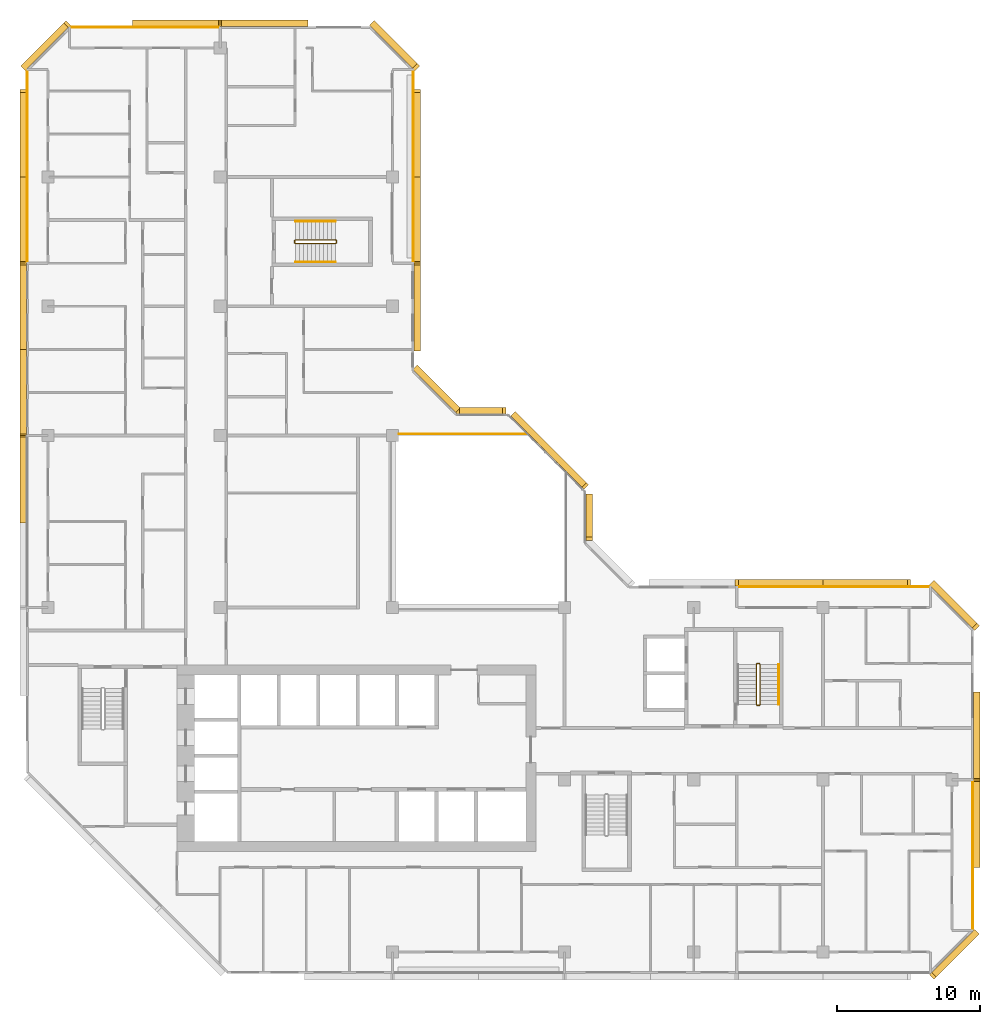
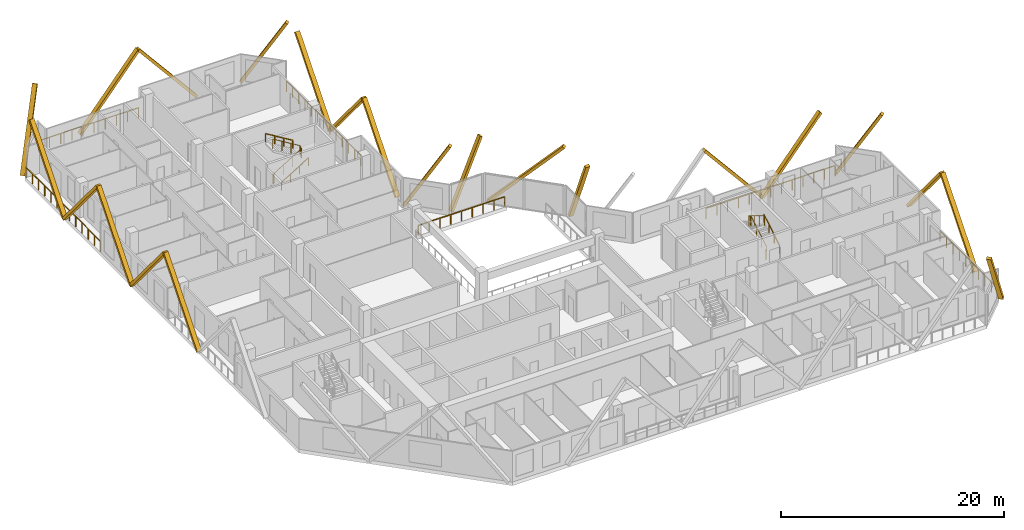
# One storey, part 16 of 16: 22 coverings, 11 railings.
"""IFC4 building model written with IfcOpenShell, lengths in metres."""

from ifc_helpers import new_model, si_unit, direction, frame, origin, origin_2d, place, context, subcontext, project, spatial, rectangle, extrude, material, material_profile, profile_set, type_object, element, save


model = new_model("IFC4")

# Units and contexts
model_context = context("Model", 3, precision=1e-05, world=origin(), true_north=direction((0.0, 1.0)))
body_context = subcontext(model_context, "Body", "Model", "MODEL_VIEW")
ifc_project = project(units=[si_unit("LENGTHUNIT", "METRE"), si_unit("AREAUNIT", "SQUARE_METRE"), si_unit("VOLUMEUNIT", "CUBIC_METRE"), si_unit("PLANEANGLEUNIT", "RADIAN"), si_unit("MASSUNIT", "GRAM", prefix="KILO")], contexts=[model_context])

# Site, building, storey
site_placement = place(None, origin())
site = spatial("IfcSite", under=ifc_project, at=site_placement, CompositionType="ELEMENT")
building_placement = place(site_placement, origin())
building = spatial("IfcBuilding", under=site, at=building_placement, Name="Chenar Terraces", CompositionType="ELEMENT")
storey_placement = place(building_placement, frame((0.0, 0.0, 219.14990234375)))
storey = spatial("IfcBuildingStorey", under=building, at=storey_placement, Name="L51", CompositionType="ELEMENT", Elevation=219.14990234375)

# Railings
ifc_material_1 = material(Name="Powder-coated steel", Category="steel")
railing_type_1 = type_object("IfcRailingType", Name="Guard 1100 steel rail with glass infill", PredefinedType="GUARDRAIL", material=ifc_material_1)
railing_1_placement = place(storey_placement, frame((24.47509765625, 36.10009765625, 0.0)))
element("IfcRailing", 1, at=railing_1_placement, inside=storey, type_object=railing_type_1, Name="Guard L51-2", PredefinedType="GUARDRAIL", context=body_context, shape_type="SweptSolid", body=[
    extrude(rectangle(XDim=0.06005859375, YDim=0.06005859375, at=origin_2d()), frame((0.0, 0.0, 1.070068359375), z_axis=(1.0, 0.0, 0.0), x_axis=(0.0, 1.0, 0.0)), (0.0, 0.0, 1.0), 8.9248046875),
    extrude(rectangle(XDim=0.050048828125, YDim=0.050048828125, at=origin_2d()), origin(), (0.0, 0.0, 1.0), 1.0400390625),
    extrude(rectangle(XDim=0.050048828125, YDim=0.050048828125, at=origin_2d()), frame((1.11572265625, 0.0, 0.0)), (0.0, 0.0, 1.0), 1.0400390625),
    extrude(rectangle(XDim=0.050048828125, YDim=0.050048828125, at=origin_2d()), frame((2.231201171875, 0.0, 0.0)), (0.0, 0.0, 1.0), 1.0400390625),
    extrude(rectangle(XDim=0.050048828125, YDim=0.050048828125, at=origin_2d()), frame((3.3466796875, 0.0, 0.0)), (0.0, 0.0, 1.0), 1.0400390625),
    extrude(rectangle(XDim=0.050048828125, YDim=0.050048828125, at=origin_2d()), frame((4.46240234375, 0.0, 0.0)), (0.0, 0.0, 1.0), 1.0400390625),
    extrude(rectangle(XDim=0.050048828125, YDim=0.050048828125, at=origin_2d()), frame((5.578125, 0.0, 0.0)), (0.0, 0.0, 1.0), 1.0400390625),
    extrude(rectangle(XDim=0.050048828125, YDim=0.050048828125, at=origin_2d()), frame((6.693603515625, 0.0, 0.0)), (0.0, 0.0, 1.0), 1.0400390625),
    extrude(rectangle(XDim=0.050048828125, YDim=0.050048828125, at=origin_2d()), frame((7.80908203125, 0.0, 0.0)), (0.0, 0.0, 1.0), 1.0400390625),
    extrude(rectangle(XDim=0.050048828125, YDim=0.050048828125, at=origin_2d()), frame((8.9248046875, 0.0, 0.0)), (0.0, 0.0, 1.0), 1.0400390625),
])
ifc_material_2 = material(Name="Stainless steel and glass", Category="steel")
railing_type_2 = type_object("IfcRailingType", Name="Loggia guard 1150", PredefinedType="GUARDRAIL", material=ifc_material_2)
railing_2_placement = place(storey_placement, frame((25.449951171875, 48.074951171875, 0.0)))
element("IfcRailing", 2, at=railing_2_placement, inside=storey, type_object=railing_type_2, Name="Loggia guard", PredefinedType="GUARDRAIL", context=body_context, shape_type="SweptSolid", body=[
    extrude(rectangle(XDim=0.048095703125, YDim=0.048095703125, at=origin_2d()), frame((0.0, 0.0, 1.1259765625), z_axis=(0.0, 1.0, 0.0), x_axis=(-1.0, 0.0, 0.0)), (0.0, 0.0, 1.0), 13.35009765625),
    extrude(rectangle(XDim=0.0419921875, YDim=0.0419921875, at=origin_2d()), origin(), (0.0, 0.0, 1.0), 1.101806640625),
    extrude(rectangle(XDim=0.0419921875, YDim=0.0419921875, at=origin_2d()), frame((0.0, 1.112548828125, 0.0)), (0.0, 0.0, 1.0), 1.101806640625),
    extrude(rectangle(XDim=0.0419921875, YDim=0.0419921875, at=origin_2d()), frame((0.0, 2.22509765625, 0.0)), (0.0, 0.0, 1.0), 1.101806640625),
    extrude(rectangle(XDim=0.0419921875, YDim=0.0419921875, at=origin_2d()), frame((0.0, 3.33740234375, 0.0)), (0.0, 0.0, 1.0), 1.101806640625),
    extrude(rectangle(XDim=0.0419921875, YDim=0.0419921875, at=origin_2d()), frame((0.0, 4.449951171875, 0.0)), (0.0, 0.0, 1.0), 1.101806640625),
    extrude(rectangle(XDim=0.0419921875, YDim=0.0419921875, at=origin_2d()), frame((0.0, 5.5625, 0.0)), (0.0, 0.0, 1.0), 1.101806640625),
    extrude(rectangle(XDim=0.0419921875, YDim=0.0419921875, at=origin_2d()), frame((0.0, 6.675048828125, 0.0)), (0.0, 0.0, 1.0), 1.101806640625),
    extrude(rectangle(XDim=0.0419921875, YDim=0.0419921875, at=origin_2d()), frame((0.0, 7.78759765625, 0.0)), (0.0, 0.0, 1.0), 1.101806640625),
    extrude(rectangle(XDim=0.0419921875, YDim=0.0419921875, at=origin_2d()), frame((0.0, 8.900146484375, 0.0)), (0.0, 0.0, 1.0), 1.101806640625),
    extrude(rectangle(XDim=0.0419921875, YDim=0.0419921875, at=origin_2d()), frame((0.0, 10.0126953125, 0.0)), (0.0, 0.0, 1.0), 1.101806640625),
    extrude(rectangle(XDim=0.0419921875, YDim=0.0419921875, at=origin_2d()), frame((0.0, 11.125, 0.0)), (0.0, 0.0, 1.0), 1.101806640625),
    extrude(rectangle(XDim=0.0419921875, YDim=0.0419921875, at=origin_2d()), frame((0.0, 12.237548828125, 0.0)), (0.0, 0.0, 1.0), 1.101806640625),
    extrude(rectangle(XDim=0.0419921875, YDim=0.0419921875, at=origin_2d()), frame((0.0, 13.35009765625, 0.0)), (0.0, 0.0, 1.0), 1.101806640625),
])
railing_3_placement = place(storey_placement, frame((64.449951171875, 1.574951171875, 0.0)))
element("IfcRailing", 3, at=railing_3_placement, inside=storey, type_object=railing_type_2, Name="Loggia guard", PredefinedType="GUARDRAIL", context=body_context, shape_type="SweptSolid", body=[
    extrude(rectangle(XDim=0.048095703125, YDim=0.048095703125, at=origin_2d()), frame((0.0, 0.0, 1.1259765625), z_axis=(0.0, 1.0, 0.0), x_axis=(-1.0, 0.0, 0.0)), (0.0, 0.0, 1.0), 10.35009765625),
    extrude(rectangle(XDim=0.0419921875, YDim=0.0419921875, at=origin_2d()), origin(), (0.0, 0.0, 1.0), 1.101806640625),
    extrude(rectangle(XDim=0.0419921875, YDim=0.0419921875, at=origin_2d()), frame((0.0, 1.14990234375, 0.0)), (0.0, 0.0, 1.0), 1.101806640625),
    extrude(rectangle(XDim=0.0419921875, YDim=0.0419921875, at=origin_2d()), frame((0.0, 2.300048828125, 0.0)), (0.0, 0.0, 1.0), 1.101806640625),
    extrude(rectangle(XDim=0.0419921875, YDim=0.0419921875, at=origin_2d()), frame((0.0, 3.449951171875, 0.0)), (0.0, 0.0, 1.0), 1.101806640625),
    extrude(rectangle(XDim=0.0419921875, YDim=0.0419921875, at=origin_2d()), frame((0.0, 4.60009765625, 0.0)), (0.0, 0.0, 1.0), 1.101806640625),
    extrude(rectangle(XDim=0.0419921875, YDim=0.0419921875, at=origin_2d()), frame((0.0, 5.75, 0.0)), (0.0, 0.0, 1.0), 1.101806640625),
    extrude(rectangle(XDim=0.0419921875, YDim=0.0419921875, at=origin_2d()), frame((0.0, 6.900146484375, 0.0)), (0.0, 0.0, 1.0), 1.101806640625),
    extrude(rectangle(XDim=0.0419921875, YDim=0.0419921875, at=origin_2d()), frame((0.0, 8.050048828125, 0.0)), (0.0, 0.0, 1.0), 1.101806640625),
    extrude(rectangle(XDim=0.0419921875, YDim=0.0419921875, at=origin_2d()), frame((0.0, 9.2001953125, 0.0)), (0.0, 0.0, 1.0), 1.101806640625),
    extrude(rectangle(XDim=0.0419921875, YDim=0.0419921875, at=origin_2d()), frame((0.0, 10.35009765625, 0.0)), (0.0, 0.0, 1.0), 1.101806640625),
])
railing_4_placement = place(storey_placement, frame((61.425048828125, 25.449951171875, 0.0)))
element("IfcRailing", 4, at=railing_4_placement, inside=storey, type_object=railing_type_2, Name="Loggia guard", PredefinedType="GUARDRAIL", context=body_context, shape_type="SweptSolid", body=[
    extrude(rectangle(XDim=0.048095703125, YDim=0.048095703125, at=origin_2d()), frame((0.0, 0.0, 1.1259765625), z_axis=(-1.0, 0.0, 0.0), x_axis=(0.0, -1.0, 0.0)), (0.0, 0.0, 1.0), 13.35009765625),
    extrude(rectangle(XDim=0.0419921875, YDim=0.0419921875, at=origin_2d()), origin(), (0.0, 0.0, 1.0), 1.101806640625),
    extrude(rectangle(XDim=0.0419921875, YDim=0.0419921875, at=origin_2d()), frame((-1.112548828125, 0.0, 0.0)), (0.0, 0.0, 1.0), 1.101806640625),
    extrude(rectangle(XDim=0.0419921875, YDim=0.0419921875, at=origin_2d()), frame((-2.22509765625, 0.0, 0.0)), (0.0, 0.0, 1.0), 1.101806640625),
    extrude(rectangle(XDim=0.0419921875, YDim=0.0419921875, at=origin_2d()), frame((-3.33740234375, 0.0, 0.0)), (0.0, 0.0, 1.0), 1.101806640625),
    extrude(rectangle(XDim=0.0419921875, YDim=0.0419921875, at=origin_2d()), frame((-4.449951171875, 0.0, 0.0)), (0.0, 0.0, 1.0), 1.101806640625),
    extrude(rectangle(XDim=0.0419921875, YDim=0.0419921875, at=origin_2d()), frame((-5.5625, 0.0, 0.0)), (0.0, 0.0, 1.0), 1.101806640625),
    extrude(rectangle(XDim=0.0419921875, YDim=0.0419921875, at=origin_2d()), frame((-6.675048828125, 0.0, 0.0)), (0.0, 0.0, 1.0), 1.101806640625),
    extrude(rectangle(XDim=0.0419921875, YDim=0.0419921875, at=origin_2d()), frame((-7.78759765625, 0.0, 0.0)), (0.0, 0.0, 1.0), 1.101806640625),
    extrude(rectangle(XDim=0.0419921875, YDim=0.0419921875, at=origin_2d()), frame((-8.900146484375, 0.0, 0.0)), (0.0, 0.0, 1.0), 1.101806640625),
    extrude(rectangle(XDim=0.0419921875, YDim=0.0419921875, at=origin_2d()), frame((-10.0126953125, 0.0, 0.0)), (0.0, 0.0, 1.0), 1.101806640625),
    extrude(rectangle(XDim=0.0419921875, YDim=0.0419921875, at=origin_2d()), frame((-11.125, 0.0, 0.0)), (0.0, 0.0, 1.0), 1.101806640625),
    extrude(rectangle(XDim=0.0419921875, YDim=0.0419921875, at=origin_2d()), frame((-12.237548828125, 0.0, 0.0)), (0.0, 0.0, 1.0), 1.101806640625),
    extrude(rectangle(XDim=0.0419921875, YDim=0.0419921875, at=origin_2d()), frame((-13.35009765625, 0.0, 0.0)), (0.0, 0.0, 1.0), 1.101806640625),
])
railing_5_placement = place(storey_placement, frame((11.925048828125, 64.449951171875, 0.0)))
element("IfcRailing", 5, at=railing_5_placement, inside=storey, type_object=railing_type_2, Name="Loggia guard", PredefinedType="GUARDRAIL", context=body_context, shape_type="SweptSolid", body=[
    extrude(rectangle(XDim=0.048095703125, YDim=0.048095703125, at=origin_2d()), frame((0.0, 0.0, 1.1259765625), z_axis=(-1.0, 0.0, 0.0), x_axis=(0.0, -1.0, 0.0)), (0.0, 0.0, 1.0), 10.35009765625),
    extrude(rectangle(XDim=0.0419921875, YDim=0.0419921875, at=origin_2d()), origin(), (0.0, 0.0, 1.0), 1.101806640625),
    extrude(rectangle(XDim=0.0419921875, YDim=0.0419921875, at=origin_2d()), frame((-1.14990234375, 0.0, 0.0)), (0.0, 0.0, 1.0), 1.101806640625),
    extrude(rectangle(XDim=0.0419921875, YDim=0.0419921875, at=origin_2d()), frame((-2.300048828125, 0.0, 0.0)), (0.0, 0.0, 1.0), 1.101806640625),
    extrude(rectangle(XDim=0.0419921875, YDim=0.0419921875, at=origin_2d()), frame((-3.449951171875, 0.0, 0.0)), (0.0, 0.0, 1.0), 1.101806640625),
    extrude(rectangle(XDim=0.0419921875, YDim=0.0419921875, at=origin_2d()), frame((-4.60009765625, 0.0, 0.0)), (0.0, 0.0, 1.0), 1.101806640625),
    extrude(rectangle(XDim=0.0419921875, YDim=0.0419921875, at=origin_2d()), frame((-5.75, 0.0, 0.0)), (0.0, 0.0, 1.0), 1.101806640625),
    extrude(rectangle(XDim=0.0419921875, YDim=0.0419921875, at=origin_2d()), frame((-6.900146484375, 0.0, 0.0)), (0.0, 0.0, 1.0), 1.101806640625),
    extrude(rectangle(XDim=0.0419921875, YDim=0.0419921875, at=origin_2d()), frame((-8.050048828125, 0.0, 0.0)), (0.0, 0.0, 1.0), 1.101806640625),
    extrude(rectangle(XDim=0.0419921875, YDim=0.0419921875, at=origin_2d()), frame((-9.2001953125, 0.0, 0.0)), (0.0, 0.0, 1.0), 1.101806640625),
    extrude(rectangle(XDim=0.0419921875, YDim=0.0419921875, at=origin_2d()), frame((-10.35009765625, 0.0, 0.0)), (0.0, 0.0, 1.0), 1.101806640625),
])
railing_6_placement = place(storey_placement, frame((-1.449951171875, 61.425048828125, 0.0)))
element("IfcRailing", 6, at=railing_6_placement, inside=storey, type_object=railing_type_2, Name="Loggia guard", PredefinedType="GUARDRAIL", context=body_context, shape_type="SweptSolid", body=[
    extrude(rectangle(XDim=0.048095703125, YDim=0.048095703125, at=origin_2d()), frame((0.0, 0.0, 1.1259765625), z_axis=(0.0, -1.0, 0.0), x_axis=(1.0, 0.0, 0.0)), (0.0, 0.0, 1.0), 13.35009765625),
    extrude(rectangle(XDim=0.0419921875, YDim=0.0419921875, at=origin_2d()), origin(), (0.0, 0.0, 1.0), 1.101806640625),
    extrude(rectangle(XDim=0.0419921875, YDim=0.0419921875, at=origin_2d()), frame((0.0, -1.112548828125, 0.0)), (0.0, 0.0, 1.0), 1.101806640625),
    extrude(rectangle(XDim=0.0419921875, YDim=0.0419921875, at=origin_2d()), frame((0.0, -2.22509765625, 0.0)), (0.0, 0.0, 1.0), 1.101806640625),
    extrude(rectangle(XDim=0.0419921875, YDim=0.0419921875, at=origin_2d()), frame((0.0, -3.33740234375, 0.0)), (0.0, 0.0, 1.0), 1.101806640625),
    extrude(rectangle(XDim=0.0419921875, YDim=0.0419921875, at=origin_2d()), frame((0.0, -4.449951171875, 0.0)), (0.0, 0.0, 1.0), 1.101806640625),
    extrude(rectangle(XDim=0.0419921875, YDim=0.0419921875, at=origin_2d()), frame((0.0, -5.5625, 0.0)), (0.0, 0.0, 1.0), 1.101806640625),
    extrude(rectangle(XDim=0.0419921875, YDim=0.0419921875, at=origin_2d()), frame((0.0, -6.675048828125, 0.0)), (0.0, 0.0, 1.0), 1.101806640625),
    extrude(rectangle(XDim=0.0419921875, YDim=0.0419921875, at=origin_2d()), frame((0.0, -7.78759765625, 0.0)), (0.0, 0.0, 1.0), 1.101806640625),
    extrude(rectangle(XDim=0.0419921875, YDim=0.0419921875, at=origin_2d()), frame((0.0, -8.900146484375, 0.0)), (0.0, 0.0, 1.0), 1.101806640625),
    extrude(rectangle(XDim=0.0419921875, YDim=0.0419921875, at=origin_2d()), frame((0.0, -10.0126953125, 0.0)), (0.0, 0.0, 1.0), 1.101806640625),
    extrude(rectangle(XDim=0.0419921875, YDim=0.0419921875, at=origin_2d()), frame((0.0, -11.125, 0.0)), (0.0, 0.0, 1.0), 1.101806640625),
    extrude(rectangle(XDim=0.0419921875, YDim=0.0419921875, at=origin_2d()), frame((0.0, -12.237548828125, 0.0)), (0.0, 0.0, 1.0), 1.101806640625),
    extrude(rectangle(XDim=0.0419921875, YDim=0.0419921875, at=origin_2d()), frame((0.0, -13.35009765625, 0.0)), (0.0, 0.0, 1.0), 1.101806640625),
])
ifc_material_3 = material(Name="Powder-coated steel", Category="steel")
railing_type_3 = type_object("IfcRailingType", Name="Stair guard 1100", PredefinedType="GUARDRAIL", material=ifc_material_3)
railing_7_placement = place(storey_placement, frame((49.375, 17.25, 3.75)))
element("IfcRailing", 7, at=railing_7_placement, inside=storey, type_object=railing_type_3, Name="L51 ST3 stair guard 1", PredefinedType="GUARDRAIL", context=body_context, shape_type="SweptSolid", body=[
    extrude(rectangle(XDim=0.048095703125, YDim=0.048095703125, at=origin_2d()), frame((0.0, 0.0, 1.076171875), z_axis=(0.0, 0.854202870247, -0.519939858505), x_axis=(-1.0, 0.0, 0.0)), (0.0, 0.0, 1.0), 3.278076171875),
    extrude(rectangle(XDim=0.048095703125, YDim=0.048095703125, at=origin_2d()), frame((0.0, 2.800048828125, -0.62841796875), z_axis=(0.270899902878, 0.270899902878, -0.923702595667), x_axis=(-0.707106781187, 0.707106781187, 0.0)), (0.0, 0.0, 1.0), 0.184814453125),
    extrude(rectangle(XDim=0.048095703125, YDim=0.048095703125, at=origin_2d()), frame((0.050048828125, 2.85009765625, -0.798828125), z_axis=(1.0, 0.0, 0.0), x_axis=(0.0, 1.0, 0.0)), (0.0, 0.0, 1.0), 0.14990234375),
    extrude(rectangle(XDim=0.048095703125, YDim=0.048095703125, at=origin_2d()), frame((0.199951171875, 2.85009765625, -0.798828125), z_axis=(0.707106781187, -0.707106781187, 0.0), x_axis=(0.707106781187, 0.707106781187, 0.0)), (0.0, 0.0, 1.0), 0.07080078125),
    extrude(rectangle(XDim=0.048095703125, YDim=0.048095703125, at=origin_2d()), frame((0.25, 2.800048828125, -0.798828125), z_axis=(0.0, -0.854202870247, -0.519939858505), x_axis=(1.0, 0.0, 0.0)), (0.0, 0.0, 1.0), 3.278076171875),
    extrude(rectangle(XDim=0.048095703125, YDim=0.048095703125, at=origin_2d()), frame((0.25, 0.0, -2.50341796875), z_axis=(-0.270899902878, -0.270899902878, -0.923702595667), x_axis=(0.707106781187, -0.707106781187, 0.0)), (0.0, 0.0, 1.0), 0.184814453125),
    extrude(rectangle(XDim=0.048095703125, YDim=0.048095703125, at=origin_2d()), frame((0.199951171875, -0.050048828125, -2.673828125), z_axis=(-1.0, 0.0, 0.0), x_axis=(0.0, -1.0, 0.0)), (0.0, 0.0, 1.0), 0.14990234375),
    extrude(rectangle(XDim=0.0419921875, YDim=0.0419921875, at=origin_2d()), origin(), (0.0, 0.0, 1.0), 1.052001953125),
    extrude(rectangle(XDim=0.0419921875, YDim=0.0419921875, at=origin_2d()), frame((0.0, 0.933349609375, -0.568115234375)), (0.0, 0.0, 1.0), 1.052001953125),
    extrude(rectangle(XDim=0.0419921875, YDim=0.0419921875, at=origin_2d()), frame((0.0, 1.86669921875, -1.13623046875)), (0.0, 0.0, 1.0), 1.052001953125),
    extrude(rectangle(XDim=0.0419921875, YDim=0.0419921875, at=origin_2d()), frame((0.0, 2.800048828125, -1.704345703125)), (0.0, 0.0, 1.0), 1.052001953125),
    extrude(rectangle(XDim=0.0419921875, YDim=0.0419921875, at=origin_2d()), frame((0.050048828125, 2.85009765625, -1.875)), (0.0, 0.0, 1.0), 1.052001953125),
    extrude(rectangle(XDim=0.0419921875, YDim=0.0419921875, at=origin_2d()), frame((0.199951171875, 2.85009765625, -1.875)), (0.0, 0.0, 1.0), 1.052001953125),
    extrude(rectangle(XDim=0.0419921875, YDim=0.0419921875, at=origin_2d()), frame((0.25, 2.800048828125, -1.875)), (0.0, 0.0, 1.0), 1.052001953125),
    extrude(rectangle(XDim=0.0419921875, YDim=0.0419921875, at=origin_2d()), frame((0.25, 1.86669921875, -2.443115234375)), (0.0, 0.0, 1.0), 1.052001953125),
    extrude(rectangle(XDim=0.0419921875, YDim=0.0419921875, at=origin_2d()), frame((0.25, 0.933349609375, -3.01123046875)), (0.0, 0.0, 1.0), 1.052001953125),
    extrude(rectangle(XDim=0.0419921875, YDim=0.0419921875, at=origin_2d()), frame((0.25, 0.0, -3.579345703125)), (0.0, 0.0, 1.0), 1.052001953125),
    extrude(rectangle(XDim=0.0419921875, YDim=0.0419921875, at=origin_2d()), frame((0.199951171875, -0.050048828125, -3.75)), (0.0, 0.0, 1.0), 1.052001953125),
    extrude(rectangle(XDim=0.0419921875, YDim=0.0419921875, at=origin_2d()), frame((0.050048828125, -0.050048828125, -3.75)), (0.0, 0.0, 1.0), 1.052001953125),
])
railing_8_placement = place(storey_placement, frame((17.25, 49.625, 3.75)))
element("IfcRailing", 8, at=railing_8_placement, inside=storey, type_object=railing_type_3, Name="L51 ST4 stair guard 1", PredefinedType="GUARDRAIL", context=body_context, shape_type="SweptSolid", body=[
    extrude(rectangle(XDim=0.048095703125, YDim=0.048095703125, at=origin_2d()), frame((0.0, 0.0, 1.076171875), z_axis=(0.854202870247, 0.0, -0.519939858505), x_axis=(0.0, 1.0, 0.0)), (0.0, 0.0, 1.0), 3.278076171875),
    extrude(rectangle(XDim=0.048095703125, YDim=0.048095703125, at=origin_2d()), frame((2.800048828125, 0.0, -0.62841796875), z_axis=(0.270899902878, -0.270899902878, -0.923702595667), x_axis=(0.707106781187, 0.707106781187, 0.0)), (0.0, 0.0, 1.0), 0.184814453125),
    extrude(rectangle(XDim=0.048095703125, YDim=0.048095703125, at=origin_2d()), frame((2.85009765625, -0.050048828125, -0.798828125), z_axis=(0.0, -1.0, 0.0), x_axis=(1.0, 0.0, 0.0)), (0.0, 0.0, 1.0), 0.14990234375),
    extrude(rectangle(XDim=0.048095703125, YDim=0.048095703125, at=origin_2d()), frame((2.85009765625, -0.199951171875, -0.798828125), z_axis=(-0.707106781187, -0.707106781187, 0.0), x_axis=(0.707106781187, -0.707106781187, 0.0)), (0.0, 0.0, 1.0), 0.07080078125),
    extrude(rectangle(XDim=0.048095703125, YDim=0.048095703125, at=origin_2d()), frame((2.800048828125, -0.25, -0.798828125), z_axis=(-0.854202870247, 0.0, -0.519939858505), x_axis=(0.0, -1.0, 0.0)), (0.0, 0.0, 1.0), 3.278076171875),
    extrude(rectangle(XDim=0.048095703125, YDim=0.048095703125, at=origin_2d()), frame((0.0, -0.25, -2.50341796875), z_axis=(-0.270899902878, 0.270899902878, -0.923702595667), x_axis=(-0.707106781187, -0.707106781187, 0.0)), (0.0, 0.0, 1.0), 0.184814453125),
    extrude(rectangle(XDim=0.048095703125, YDim=0.048095703125, at=origin_2d()), frame((-0.050048828125, -0.199951171875, -2.673828125), z_axis=(0.0, 1.0, 0.0), x_axis=(-1.0, 0.0, 0.0)), (0.0, 0.0, 1.0), 0.14990234375),
    extrude(rectangle(XDim=0.0419921875, YDim=0.0419921875, at=origin_2d()), origin(), (0.0, 0.0, 1.0), 1.052001953125),
    extrude(rectangle(XDim=0.0419921875, YDim=0.0419921875, at=origin_2d()), frame((0.933349609375, 0.0, -0.568115234375)), (0.0, 0.0, 1.0), 1.052001953125),
    extrude(rectangle(XDim=0.0419921875, YDim=0.0419921875, at=origin_2d()), frame((1.86669921875, 0.0, -1.13623046875)), (0.0, 0.0, 1.0), 1.052001953125),
    extrude(rectangle(XDim=0.0419921875, YDim=0.0419921875, at=origin_2d()), frame((2.800048828125, 0.0, -1.704345703125)), (0.0, 0.0, 1.0), 1.052001953125),
    extrude(rectangle(XDim=0.0419921875, YDim=0.0419921875, at=origin_2d()), frame((2.85009765625, -0.050048828125, -1.875)), (0.0, 0.0, 1.0), 1.052001953125),
    extrude(rectangle(XDim=0.0419921875, YDim=0.0419921875, at=origin_2d()), frame((2.85009765625, -0.199951171875, -1.875)), (0.0, 0.0, 1.0), 1.052001953125),
    extrude(rectangle(XDim=0.0419921875, YDim=0.0419921875, at=origin_2d()), frame((2.800048828125, -0.25, -1.875)), (0.0, 0.0, 1.0), 1.052001953125),
    extrude(rectangle(XDim=0.0419921875, YDim=0.0419921875, at=origin_2d()), frame((1.86669921875, -0.25, -2.443115234375)), (0.0, 0.0, 1.0), 1.052001953125),
    extrude(rectangle(XDim=0.0419921875, YDim=0.0419921875, at=origin_2d()), frame((0.933349609375, -0.25, -3.01123046875)), (0.0, 0.0, 1.0), 1.052001953125),
    extrude(rectangle(XDim=0.0419921875, YDim=0.0419921875, at=origin_2d()), frame((0.0, -0.25, -3.579345703125)), (0.0, 0.0, 1.0), 1.052001953125),
    extrude(rectangle(XDim=0.0419921875, YDim=0.0419921875, at=origin_2d()), frame((-0.050048828125, -0.199951171875, -3.75)), (0.0, 0.0, 1.0), 1.052001953125),
    extrude(rectangle(XDim=0.0419921875, YDim=0.0419921875, at=origin_2d()), frame((-0.050048828125, -0.050048828125, -3.75)), (0.0, 0.0, 1.0), 1.052001953125),
])
ifc_material_4 = material(Name="Powder-coated steel", Category="steel")
railing_type_4 = type_object("IfcRailingType", Name="Stair handrail 900", PredefinedType="HANDRAIL", material=ifc_material_4)
railing_9_placement = place(storey_placement, frame((50.925048828125, 17.25, 0.170654296875)))
element("IfcRailing", 9, at=railing_9_placement, inside=storey, type_object=railing_type_4, Name="L51 ST3 stair handrail 1", PredefinedType="HANDRAIL", context=body_context, shape_type="SweptSolid", body=[
    extrude(rectangle(XDim=0.048095703125, YDim=0.048095703125, at=origin_2d()), frame((0.0, 0.0, 0.8759765625), z_axis=(0.0, 0.854202870247, 0.519939858505), x_axis=(-1.0, 0.0, 0.0)), (0.0, 0.0, 1.0), 3.278076171875),
    extrude(rectangle(XDim=0.0419921875, YDim=0.0419921875, at=origin_2d()), origin(), (0.0, 0.0, 1.0), 0.851806640625),
    extrude(rectangle(XDim=0.0419921875, YDim=0.0419921875, at=origin_2d()), frame((0.0, 0.933349609375, 0.568115234375)), (0.0, 0.0, 1.0), 0.851806640625),
    extrude(rectangle(XDim=0.0419921875, YDim=0.0419921875, at=origin_2d()), frame((0.0, 1.86669921875, 1.13623046875)), (0.0, 0.0, 1.0), 0.851806640625),
    extrude(rectangle(XDim=0.0419921875, YDim=0.0419921875, at=origin_2d()), frame((0.0, 2.800048828125, 1.704345703125)), (0.0, 0.0, 1.0), 0.851806640625),
])
railing_10_placement = place(storey_placement, frame((17.25, 48.074951171875, 0.170654296875)))
element("IfcRailing", 10, at=railing_10_placement, inside=storey, type_object=railing_type_4, Name="L51 ST4 stair handrail 1", PredefinedType="HANDRAIL", context=body_context, shape_type="SweptSolid", body=[
    extrude(rectangle(XDim=0.048095703125, YDim=0.048095703125, at=origin_2d()), frame((0.0, 0.0, 0.8759765625), z_axis=(0.854202870247, 0.0, 0.519939858505), x_axis=(0.0, 1.0, 0.0)), (0.0, 0.0, 1.0), 3.278076171875),
    extrude(rectangle(XDim=0.0419921875, YDim=0.0419921875, at=origin_2d()), origin(), (0.0, 0.0, 1.0), 0.851806640625),
    extrude(rectangle(XDim=0.0419921875, YDim=0.0419921875, at=origin_2d()), frame((0.933349609375, 0.0, 0.568115234375)), (0.0, 0.0, 1.0), 0.851806640625),
    extrude(rectangle(XDim=0.0419921875, YDim=0.0419921875, at=origin_2d()), frame((1.86669921875, 0.0, 1.13623046875)), (0.0, 0.0, 1.0), 0.851806640625),
    extrude(rectangle(XDim=0.0419921875, YDim=0.0419921875, at=origin_2d()), frame((2.800048828125, 0.0, 1.704345703125)), (0.0, 0.0, 1.0), 0.851806640625),
])
railing_11_placement = place(storey_placement, frame((20.050048828125, 50.925048828125, 2.045654296875)))
element("IfcRailing", 11, at=railing_11_placement, inside=storey, type_object=railing_type_4, Name="L51 ST4 stair handrail 2", PredefinedType="HANDRAIL", context=body_context, shape_type="SweptSolid", body=[
    extrude(rectangle(XDim=0.048095703125, YDim=0.048095703125, at=origin_2d()), frame((0.0, 0.0, 0.8759765625), z_axis=(-0.854202870247, 0.0, 0.519939858505), x_axis=(0.0, -1.0, 0.0)), (0.0, 0.0, 1.0), 3.278076171875),
    extrude(rectangle(XDim=0.0419921875, YDim=0.0419921875, at=origin_2d()), origin(), (0.0, 0.0, 1.0), 0.851806640625),
    extrude(rectangle(XDim=0.0419921875, YDim=0.0419921875, at=origin_2d()), frame((-0.933349609375, 0.0, 0.568115234375)), (0.0, 0.0, 1.0), 0.851806640625),
    extrude(rectangle(XDim=0.0419921875, YDim=0.0419921875, at=origin_2d()), frame((-1.86669921875, 0.0, 1.13623046875)), (0.0, 0.0, 1.0), 0.851806640625),
    extrude(rectangle(XDim=0.0419921875, YDim=0.0419921875, at=origin_2d()), frame((-2.800048828125, 0.0, 1.704345703125)), (0.0, 0.0, 1.0), 0.851806640625),
])

# Coverings
ifc_material_5 = material(Name="Terracotta", Category="masonry")
ifc_material_profile = material_profile(ifc_material_5, rectangle(XDim=0.449951171875, YDim=0.280029296875, at=origin_2d()), Name="Terracotta baguette 450 x 280")
ifc_profile_set = profile_set([ifc_material_profile], Name="Terracotta")
covering_type = type_object("IfcCoveringType", Name="Terracotta baguette 450 x 280", PredefinedType="CLADDING", material=ifc_profile_set)
for number, where, z_axis, x_axis, name in (
    (12, (60.0, 25.72509765625, 7.35009765625), (-0.640186961885, 0.0, -0.768219144407), (0.0, -1.0, 0.0), "Terracotta baguette"),
    (13, (54.0, 25.72509765625, 0.150146484375), (-0.640186961885, 0.0, 0.768219144407), (0.0, -1.0, 0.0), "Terracotta baguette"),
):
    element("IfcCovering", number, at=place(storey_placement, frame(where, z_axis=z_axis, x_axis=x_axis)), inside=storey, type_object=covering_type, Name=name, PredefinedType="CLADDING", context=body_context, shape_type="SweptSolid", body=[
        extrude(rectangle(XDim=0.449951171875, YDim=0.280029296875, at=origin_2d()), origin(), (0.0, 0.0, 1.0), 9.372314453125),
    ])
covering_1_placement = place(storey_placement, frame((37.72509765625, 28.800048828125, 7.35009765625), z_axis=(0.0, 0.384617607118, -0.923075997031), x_axis=(-1.0, 0.0, 0.0)))
element("IfcCovering", 14, at=covering_1_placement, inside=storey, type_object=covering_type, Name="Terracotta baguette", PredefinedType="CLADDING", context=body_context, shape_type="SweptSolid", body=[
    extrude(rectangle(XDim=0.449951171875, YDim=0.280029296875, at=origin_2d()), origin(), (0.0, 0.0, 1.0), 7.800048828125),
])
covering_2_placement = place(storey_placement, frame((37.447021484375, 32.47119140625, 7.35009765625), z_axis=(-0.494240720479, 0.494240720479, -0.715158877761), x_axis=(-0.707106781187, -0.707106781187, 0.0)))
element("IfcCovering", 15, at=covering_2_placement, inside=storey, type_object=covering_type, Name="Terracotta baguette", PredefinedType="CLADDING", context=body_context, shape_type="SweptSolid", body=[
    extrude(rectangle(XDim=0.449951171875, YDim=0.280029296875, at=origin_2d()), origin(), (0.0, 0.0, 1.0), 10.067626953125),
])
covering_3_placement = place(storey_placement, frame((31.800048828125, 37.72509765625, 7.35009765625), z_axis=(-0.384617607118, 0.0, -0.923075997031), x_axis=(0.0, -1.0, 0.0)))
element("IfcCovering", 16, at=covering_3_placement, inside=storey, type_object=covering_type, Name="Terracotta baguette", PredefinedType="CLADDING", context=body_context, shape_type="SweptSolid", body=[
    extrude(rectangle(XDim=0.449951171875, YDim=0.280029296875, at=origin_2d()), origin(), (0.0, 0.0, 1.0), 7.800048828125),
])
covering_4_placement = place(storey_placement, frame((28.6591796875, 37.6591796875, 7.35009765625), z_axis=(-0.358980886355, 0.358980886355, -0.861548284464), x_axis=(-0.707106781187, -0.707106781187, 0.0)))
element("IfcCovering", 17, at=covering_4_placement, inside=storey, type_object=covering_type, Name="Terracotta baguette", PredefinedType="CLADDING", context=body_context, shape_type="SweptSolid", body=[
    extrude(rectangle(XDim=0.449951171875, YDim=0.280029296875, at=origin_2d()), origin(), (0.0, 0.0, 1.0), 8.35693359375),
])
for number, where, z_axis, x_axis, name in (
    (18, (25.72509765625, 42.0, 0.150146484375), (0.0, 0.640186961885, 0.768219144407), (-1.0, 0.0, 0.0), "Terracotta baguette"),
    (19, (25.72509765625, 48.0, 7.35009765625), (0.0, 0.640186961885, -0.768219144407), (-1.0, 0.0, 0.0), "Terracotta baguette"),
    (20, (25.72509765625, 54.0, 0.150146484375), (0.0, 0.640186961885, 0.768219144407), (-1.0, 0.0, 0.0), "Terracotta baguette"),
):
    element("IfcCovering", number, at=place(storey_placement, frame(where, z_axis=z_axis, x_axis=x_axis)), inside=storey, type_object=covering_type, Name=name, PredefinedType="CLADDING", context=body_context, shape_type="SweptSolid", body=[
        extrude(rectangle(XDim=0.449951171875, YDim=0.280029296875, at=origin_2d()), origin(), (0.0, 0.0, 1.0), 9.372314453125),
    ])
covering_5_placement = place(storey_placement, frame((25.6591796875, 61.6591796875, 7.35009765625), z_axis=(-0.358980886355, 0.358980886355, -0.861548284464), x_axis=(-0.707106781187, -0.707106781187, 0.0)))
element("IfcCovering", 21, at=covering_5_placement, inside=storey, type_object=covering_type, Name="Terracotta baguette", PredefinedType="CLADDING", context=body_context, shape_type="SweptSolid", body=[
    extrude(rectangle(XDim=0.449951171875, YDim=0.280029296875, at=origin_2d()), origin(), (0.0, 0.0, 1.0), 8.35693359375),
])
for number, where, z_axis, x_axis, name in (
    (22, (18.0, 64.72509765625, 0.150146484375), (-0.640186961885, 0.0, 0.768219144407), (0.0, -1.0, 0.0), "Terracotta baguette"),
    (23, (12.0, 64.72509765625, 7.35009765625), (-0.640186961885, 0.0, -0.768219144407), (0.0, -1.0, 0.0), "Terracotta baguette"),
):
    element("IfcCovering", number, at=place(storey_placement, frame(where, z_axis=z_axis, x_axis=x_axis)), inside=storey, type_object=covering_type, Name=name, PredefinedType="CLADDING", context=body_context, shape_type="SweptSolid", body=[
        extrude(rectangle(XDim=0.449951171875, YDim=0.280029296875, at=origin_2d()), origin(), (0.0, 0.0, 1.0), 9.372314453125),
    ])
covering_6_placement = place(storey_placement, frame((1.3408203125, 64.6591796875, 7.35009765625), z_axis=(-0.358980886355, -0.358980886355, -0.861548284464), x_axis=(0.707106781187, -0.707106781187, 0.0)))
element("IfcCovering", 24, at=covering_6_placement, inside=storey, type_object=covering_type, Name="Terracotta baguette", PredefinedType="CLADDING", context=body_context, shape_type="SweptSolid", body=[
    extrude(rectangle(XDim=0.449951171875, YDim=0.280029296875, at=origin_2d()), origin(), (0.0, 0.0, 1.0), 8.35693359375),
])
for number, where, z_axis, x_axis, name in (
    (25, (-1.72509765625, 60.0, 7.35009765625), (0.0, -0.640186961885, -0.768219144407), (1.0, 0.0, 0.0), "Terracotta baguette"),
    (26, (-1.72509765625, 54.0, 0.150146484375), (0.0, -0.640186961885, 0.768219144407), (1.0, 0.0, 0.0), "Terracotta baguette"),
    (27, (-1.72509765625, 48.0, 7.35009765625), (0.0, -0.640186961885, -0.768219144407), (1.0, 0.0, 0.0), "Terracotta baguette"),
    (28, (-1.72509765625, 42.0, 0.150146484375), (0.0, -0.640186961885, 0.768219144407), (1.0, 0.0, 0.0), "Terracotta baguette"),
    (29, (-1.72509765625, 36.0, 7.35009765625), (0.0, -0.640186961885, -0.768219144407), (1.0, 0.0, 0.0), "Terracotta baguette"),
):
    element("IfcCovering", number, at=place(storey_placement, frame(where, z_axis=z_axis, x_axis=x_axis)), inside=storey, type_object=covering_type, Name=name, PredefinedType="CLADDING", context=body_context, shape_type="SweptSolid", body=[
        extrude(rectangle(XDim=0.449951171875, YDim=0.280029296875, at=origin_2d()), origin(), (0.0, 0.0, 1.0), 9.372314453125),
    ])
covering_7_placement = place(storey_placement, frame((61.6591796875, -1.6591796875, 7.35009765625), z_axis=(0.358980886355, 0.358980886355, -0.861548284464), x_axis=(-0.707106781187, 0.707106781187, 0.0)))
element("IfcCovering", 30, at=covering_7_placement, inside=storey, type_object=covering_type, Name="Terracotta baguette", PredefinedType="CLADDING", context=body_context, shape_type="SweptSolid", body=[
    extrude(rectangle(XDim=0.449951171875, YDim=0.280029296875, at=origin_2d()), origin(), (0.0, 0.0, 1.0), 8.35693359375),
])
for number, where, z_axis, x_axis, name in (
    (31, (64.72509765625, 6.0, 0.150146484375), (0.0, 0.640186961885, 0.768219144407), (-1.0, 0.0, 0.0), "Terracotta baguette"),
    (32, (64.72509765625, 12.0, 7.35009765625), (0.0, 0.640186961885, -0.768219144407), (-1.0, 0.0, 0.0), "Terracotta baguette"),
):
    element("IfcCovering", number, at=place(storey_placement, frame(where, z_axis=z_axis, x_axis=x_axis)), inside=storey, type_object=covering_type, Name=name, PredefinedType="CLADDING", context=body_context, shape_type="SweptSolid", body=[
        extrude(rectangle(XDim=0.449951171875, YDim=0.280029296875, at=origin_2d()), origin(), (0.0, 0.0, 1.0), 9.372314453125),
    ])
covering_8_placement = place(storey_placement, frame((64.6591796875, 22.6591796875, 7.35009765625), z_axis=(-0.358980886355, 0.358980886355, -0.861548284464), x_axis=(-0.707106781187, -0.707106781187, 0.0)))
element("IfcCovering", 33, at=covering_8_placement, inside=storey, type_object=covering_type, Name="Terracotta baguette", PredefinedType="CLADDING", context=body_context, shape_type="SweptSolid", body=[
    extrude(rectangle(XDim=0.449951171875, YDim=0.280029296875, at=origin_2d()), origin(), (0.0, 0.0, 1.0), 8.35693359375),
])

save(model, "model.ifc")
